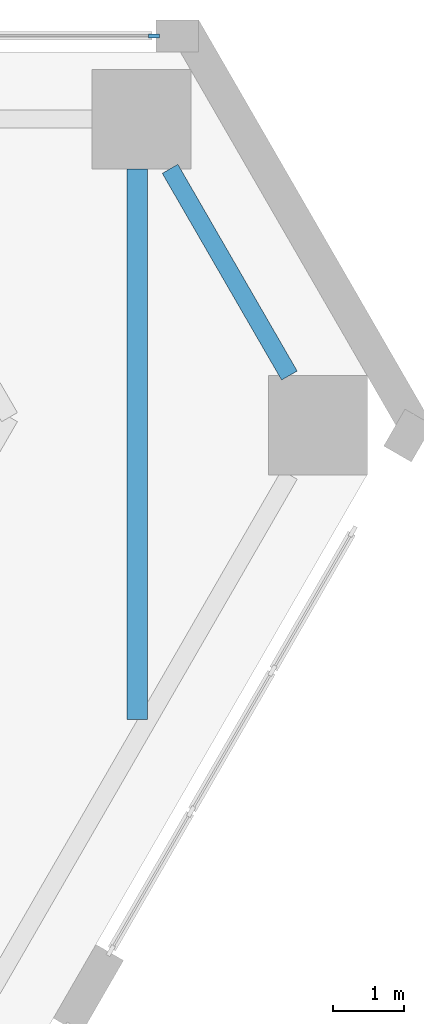
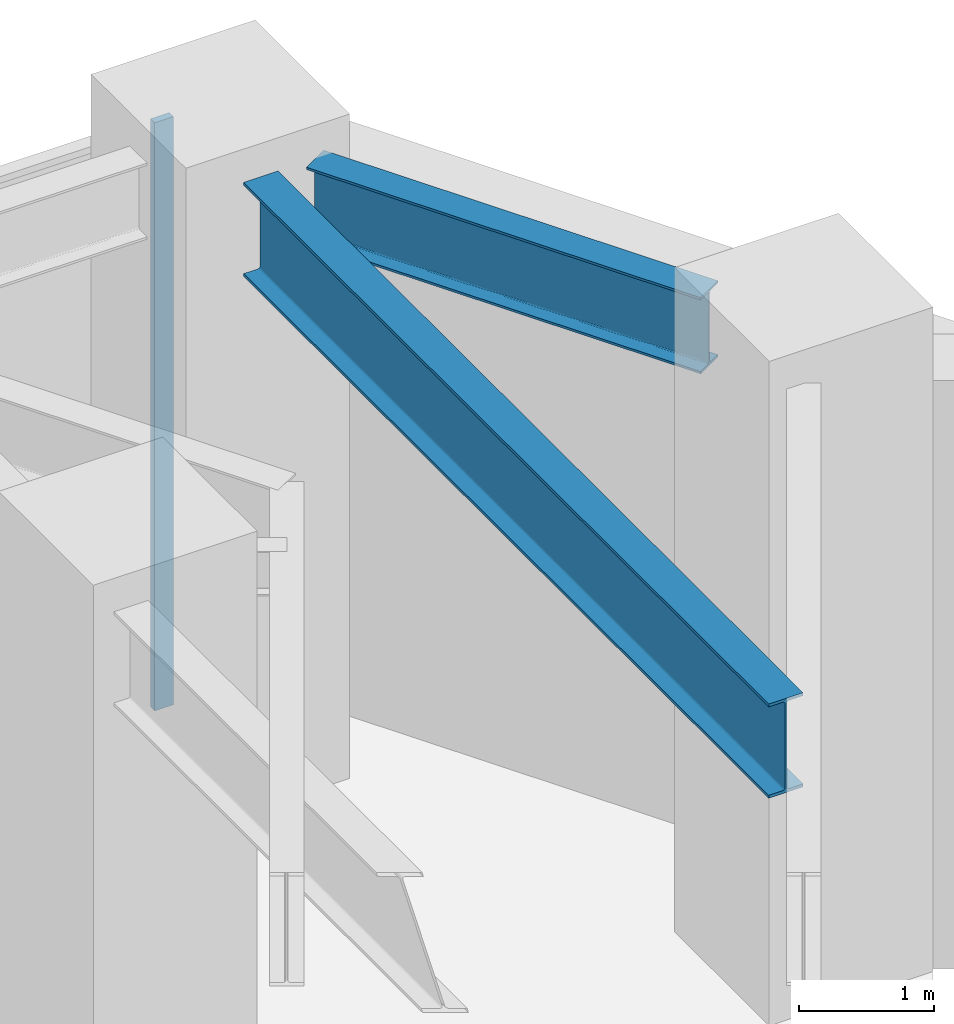
# One storey, part 21 of 37: 2 beams, 1 member, 1 element without a shape of its own.
"""IFC4 building model written with IfcOpenShell, lengths in metres."""

from ifc_helpers import new_model, si_unit, direction, frame, origin, origin_2d, place, context, subcontext, project, spatial, rectangle, i_section, extrude, material, material_profile, profile_set, type_object, element, aggregate, save


model = new_model("IFC4")

# Units and contexts
model_context = context("Model", 3, precision=1e-05, world=origin(), true_north=direction((0.0, 1.0)))
body_context = subcontext(model_context, "Body", "Model", "MODEL_VIEW")
ifc_project = project(units=[si_unit("LENGTHUNIT", "METRE"), si_unit("AREAUNIT", "SQUARE_METRE"), si_unit("VOLUMEUNIT", "CUBIC_METRE"), si_unit("PLANEANGLEUNIT", "RADIAN"), si_unit("MASSUNIT", "GRAM", prefix="KILO")], contexts=[model_context])

# Site, building, storey
site_placement = place(None, origin())
site = spatial("IfcSite", under=ifc_project, at=site_placement, CompositionType="ELEMENT")
building_placement = place(site_placement, origin())
building = spatial("IfcBuilding", under=site, at=building_placement, Name="Aloe Facet Convention Tower", CompositionType="ELEMENT")
storey_placement = place(building_placement, frame((0.0, 0.0, 7.5)))
storey = spatial("IfcBuildingStorey", under=building, at=storey_placement, Name="L01", CompositionType="ELEMENT", Elevation=7.5)

# Curtain wall, member
ifc_material_1 = material(Name="Aluminium, anodised", Category="aluminium")
curtain_wall_type = type_object("IfcCurtainWallType", Name="EV-CW-SHOP", PredefinedType="USERDEFINED", material=ifc_material_1)
curtain_wall_placement = place(storey_placement, origin())
curtain_wall = element("IfcCurtainWall", 1, at=curtain_wall_placement, inside=storey, type_object=curtain_wall_type, Name="CW-L01-N02", ObjectType="STICK SHOPFRONT GLAZING", PredefinedType="USERDEFINED")
ifc_material_2 = material(Name="Aluminium, anodised", Category="aluminium")
ifc_material_profile_1 = material_profile(ifc_material_2, rectangle(XDim=0.06005859375, YDim=0.159912109375, at=origin_2d()), Name="AL 60x160")
ifc_profile_set_1 = profile_set([ifc_material_profile_1], Name="Aluminium, anodised")
member_type = type_object("IfcMemberType", Name="EV-MULL-SHOP", PredefinedType="MULLION", material=ifc_profile_set_1)
member_placement = place(storey_placement, frame((130.637451171875, 134.77490234375, -0.300048828125), z_axis=(0.0, 0.0, 1.0), x_axis=(0.0, -1.0, 0.0)))
member = element("IfcMember", 2, at=member_placement, type_object=member_type, Name="CW-L01-N02 mullion 1", PredefinedType="MULLION", context=body_context, shape_type="SweptSolid", body=[
    extrude(rectangle(XDim=0.06005859375, YDim=0.159912109375, at=origin_2d()), origin(), (0.0, 0.0, 1.0), 5.3125),
])
aggregate(curtain_wall, [member])

# Beams
ifc_material_3 = material(Name="Steel S355", Category="steel")
ifc_material_profile_2 = material_profile(ifc_material_3, i_section(OverallWidth=0.25439453125, OverallDepth=0.6875, WebThickness=0.01318359375, FlangeThickness=0.02099609375, FilletRadius=0.01513671875, at=origin_2d()), Name="UB 686x254x152")
ifc_profile_set_2 = profile_set([ifc_material_profile_2], Name="Steel S355")
beam_type_1 = type_object("IfcBeamType", Name="SF-B-UB686x254x152", PredefinedType="BEAM", material=ifc_profile_set_2)
beam_1_placement = place(storey_placement, frame((130.86328125, 132.89990234375, 5.356201171875), z_axis=(0.500006981563, -0.86602137294, 0.0), x_axis=(0.86602137294, 0.500006981563, 0.0)))
element("IfcBeam", 3, at=beam_1_placement, inside=storey, type_object=beam_type_1, Name="Floor beam FB-L02-028", PredefinedType="BEAM", context=body_context, shape_type="SweptSolid", body=[
    extrude(i_section(OverallWidth=0.25439453125, OverallDepth=0.6875, WebThickness=0.01318359375, FlangeThickness=0.02099609375, FilletRadius=0.01513671875, at=origin_2d()), origin(), (0.0, 0.0, 1.0), 3.3671875),
])
ifc_material_4 = material(Name="Steel S355", Category="steel")
ifc_material_profile_3 = material_profile(ifc_material_4, i_section(OverallWidth=0.293701171875, OverallDepth=0.850830078125, WebThickness=0.01611328125, FlangeThickness=0.02685546875, FilletRadius=0.017822265625, at=origin_2d()), Name="UB 838x292x226")
ifc_profile_set_3 = profile_set([ifc_material_profile_3], Name="Steel S355")
beam_type_2 = type_object("IfcBeamType", Name="SF-B-UB838x292x226", PredefinedType="BEAM", material=ifc_profile_set_3)
beam_2_placement = place(storey_placement, frame((130.39990234375, 125.13037109375, 5.2744140625), z_axis=(0.0, 1.0, 0.0), x_axis=(-1.0, 0.0, 0.0)))
element("IfcBeam", 4, at=beam_2_placement, inside=storey, type_object=beam_type_2, Name="Floor beam FB-L02-168", PredefinedType="BEAM", context=body_context, shape_type="SweptSolid", body=[
    extrude(i_section(OverallWidth=0.293701171875, OverallDepth=0.850830078125, WebThickness=0.01611328125, FlangeThickness=0.02685546875, FilletRadius=0.017822265625, at=origin_2d()), origin(), (0.0, 0.0, 1.0), 7.76953125),
])

save(model, "model.ifc")
